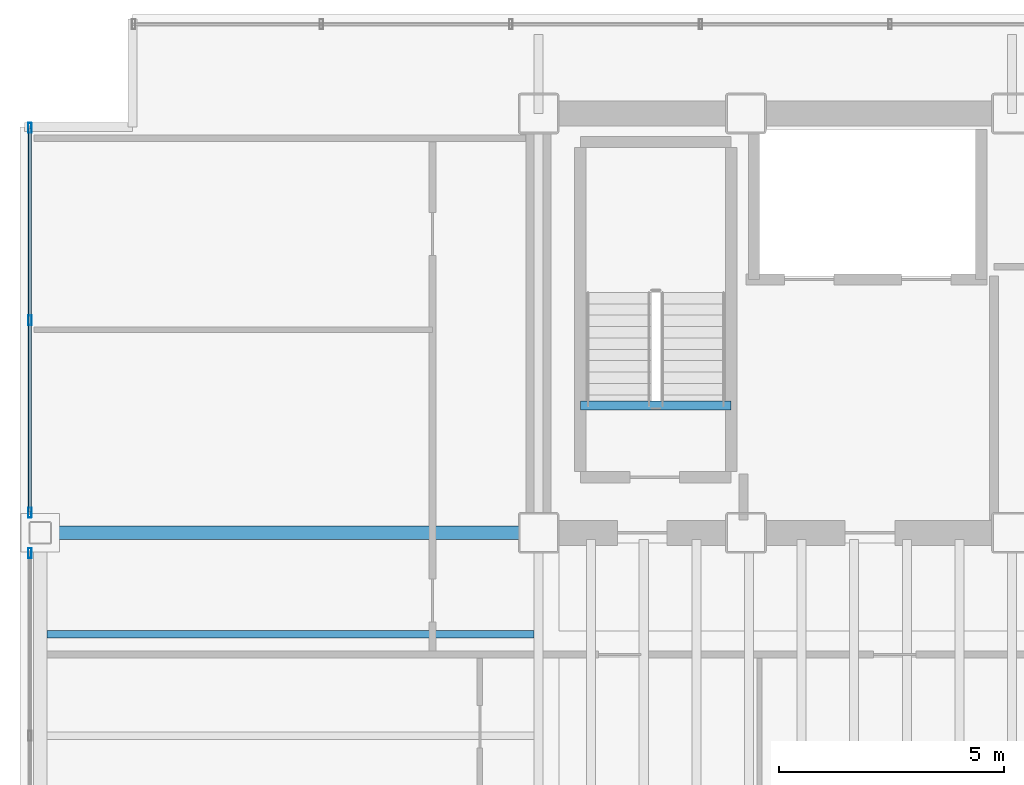
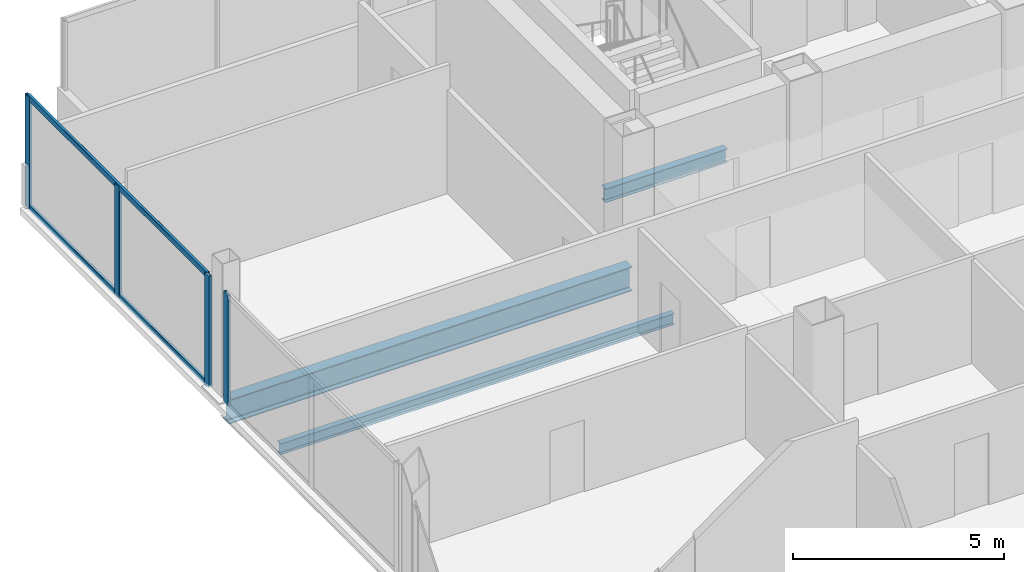
# One storey, part 8 of 22: 6 members, 3 beams, 2 elements without a shape of their own.
"""IFC4 building model written with IfcOpenShell, lengths in metres."""

from ifc_helpers import new_model, si_unit, direction, frame, origin, origin_2d, place, context, subcontext, project, spatial, hollow_rectangle, i_section, extrude, material, material_profile, profile_set, type_object, element, aggregate, save


model = new_model("IFC4")

# Units and contexts
model_context = context("Model", 3, precision=1e-05, world=origin(), true_north=direction((0.0, 1.0)))
body_context = subcontext(model_context, "Body", "Model", "MODEL_VIEW")
ifc_project = project(units=[si_unit("LENGTHUNIT", "METRE"), si_unit("AREAUNIT", "SQUARE_METRE"), si_unit("VOLUMEUNIT", "CUBIC_METRE"), si_unit("PLANEANGLEUNIT", "RADIAN"), si_unit("MASSUNIT", "GRAM", prefix="KILO")], contexts=[model_context])

# Site, building, storey
site_placement = place(None, origin())
site = spatial("IfcSite", under=ifc_project, at=site_placement, CompositionType="ELEMENT")
building_placement = place(site_placement, origin())
building = spatial("IfcBuilding", under=site, at=building_placement, Name="Noeulbin Bourse Tower", CompositionType="ELEMENT")
storey_placement = place(building_placement, frame((0.0, 0.0, 134.39990234375)))
storey = spatial("IfcBuildingStorey", under=building, at=storey_placement, Name="L33", CompositionType="ELEMENT", Elevation=134.39990234375)

# Beams
ifc_material_1 = material(Name="Steel S355", Category="steel")
ifc_material_profile_1 = material_profile(ifc_material_1, i_section(OverallWidth=0.300048828125, OverallDepth=0.699951171875, WebThickness=0.012939453125, FlangeThickness=0.02392578125, FilletRadius=0.02392578125, at=origin_2d()), Name="H-700x300x13x24", Category="LoadBearing")
ifc_profile_set_1 = profile_set([ifc_material_profile_1], Name="Steel S355")
beam_type_1 = type_object("IfcBeamType", Name="BM-GRD-700", PredefinedType="USERDEFINED", material=ifc_profile_set_1)
beam_1_placement = place(storey_placement, frame((2.449951171875, 29.0, -0.52978515625), z_axis=(1.0, 0.0, 0.0), x_axis=(0.0, 1.0, 0.0)))
element("IfcBeam", 1, at=beam_1_placement, inside=storey, type_object=beam_type_1, Name="Tower Primary Girder EW L33-2.1", ObjectType="GIRDER", PredefinedType="USERDEFINED", context=body_context, shape_type="SweptSolid", body=[
    extrude(i_section(OverallWidth=0.300048828125, OverallDepth=0.699951171875, WebThickness=0.012939453125, FlangeThickness=0.02392578125, FilletRadius=0.02392578125, at=origin_2d()), origin(), (0.0, 0.0, 1.0), 11.050048828125),
])
ifc_material_profile_2 = material_profile(ifc_material_1, i_section(OverallWidth=0.159912109375, OverallDepth=0.320068359375, WebThickness=0.006591796875, FlangeThickness=0.010009765625, FilletRadius=0.012939453125, at=origin_2d()), Name="H-320x160x6.5x10", Category="LoadBearing")
ifc_profile_set_2 = profile_set([ifc_material_profile_2], Name="Steel S355")
beam_type_2 = type_object("IfcBeamType", Name="BM-JST-320", PredefinedType="JOIST", material=ifc_profile_set_2)
beam_2_placement = place(storey_placement, frame((2.60009765625, 26.75, -0.33984375), z_axis=(1.0, 0.0, 0.0), x_axis=(0.0, 1.0, 0.0)))
element("IfcBeam", 2, at=beam_2_placement, inside=storey, type_object=beam_type_2, Name="Wing Composite Joist L33-W49", PredefinedType="JOIST", context=body_context, shape_type="SweptSolid", body=[
    extrude(i_section(OverallWidth=0.159912109375, OverallDepth=0.320068359375, WebThickness=0.006591796875, FlangeThickness=0.010009765625, FilletRadius=0.012939453125, at=origin_2d()), origin(), (0.0, 0.0, 1.0), 10.7998046875),
])
ifc_material_profile_3 = material_profile(ifc_material_1, i_section(OverallWidth=0.199951171875, OverallDepth=0.39990234375, WebThickness=0.008056640625, FlangeThickness=0.012939453125, FilletRadius=0.01611328125, at=origin_2d()), Name="H-400x200x8x13", Category="LoadBearing")
ifc_profile_set_3 = profile_set([ifc_material_profile_3], Name="Steel S355")
beam_type_3 = type_object("IfcBeamType", Name="BM-SEC-400", PredefinedType="BEAM", material=ifc_profile_set_3)
beam_3_placement = place(storey_placement, frame((14.429931640625, 31.820068359375, -0.199951171875), z_axis=(1.0, 0.0, 0.0), x_axis=(0.0, 1.0, 0.0)))
element("IfcBeam", 3, at=beam_3_placement, inside=storey, type_object=beam_type_3, Name="Stair Threshold Trimmer Beam ST1-L33", PredefinedType="BEAM", context=body_context, shape_type="SweptSolid", body=[
    extrude(i_section(OverallWidth=0.199951171875, OverallDepth=0.39990234375, WebThickness=0.008056640625, FlangeThickness=0.012939453125, FilletRadius=0.01611328125, at=origin_2d()), origin(), (0.0, 0.0, 1.0), 3.340087890625),
])

# Curtain wall, member
ifc_material_2 = material(Name="Dark Tinted Triple Glazing", Category="glass")
curtain_wall_type = type_object("IfcCurtainWallType", Name="CW-SYS-3", PredefinedType="NOTDEFINED", material=ifc_material_2)
curtain_wall_1_placement = place(storey_placement, origin())
curtain_wall_1 = element("IfcCurtainWall", 4, at=curtain_wall_1_placement, inside=storey, type_object=curtain_wall_type, Name="Unitised Curtain Wall CW-L33-W-S2", PredefinedType="NOTDEFINED")
ifc_material_3 = material(Name="Anodised Aluminium 6063-T6", Category="aluminium")
ifc_material_profile_4 = material_profile(ifc_material_3, hollow_rectangle(XDim=0.074951171875, YDim=0.219970703125, WallThickness=0.0048828125, InnerFilletRadius=0.00244140625, OuterFilletRadius=0.0048828125, at=origin_2d()), Name="ALU-MULL-75x220x5", Category="LoadBearing")
ifc_profile_set_4 = profile_set([ifc_material_profile_4], Name="Anodised Aluminium 6063-T6")
member_type_1 = type_object("IfcMemberType", Name="CW-SYS-3-MUL", PredefinedType="MULLION", material=ifc_profile_set_4)
member_1_placement = place(storey_placement, frame((2.219970703125, 28.550048828125, -0.02001953125), z_axis=(0.0, 0.0, 1.0), x_axis=(1.0, 0.0, 0.0)))
member_1 = element("IfcMember", 5, at=member_1_placement, type_object=member_type_1, Name="Curtain Wall Mullion CW-L33-W-S2-M02", PredefinedType="MULLION", context=body_context, shape_type="SweptSolid", body=[
    extrude(hollow_rectangle(XDim=0.074951171875, YDim=0.219970703125, WallThickness=0.0048828125, InnerFilletRadius=0.00244140625, OuterFilletRadius=0.0048828125, at=origin_2d()), origin(), (0.0, 0.0, 1.0), 3.22021484375),
])
aggregate(curtain_wall_1, [member_1])

# Curtain wall, members
curtain_wall_2_placement = place(storey_placement, origin())
curtain_wall_2 = element("IfcCurtainWall", 6, at=curtain_wall_2_placement, inside=storey, type_object=curtain_wall_type, Name="Unitised Curtain Wall CW-L33-W-S3", PredefinedType="NOTDEFINED")
member_2_placement = place(storey_placement, frame((2.219970703125, 29.449951171875, -0.02001953125), z_axis=(0.0, 0.0, 1.0), x_axis=(1.0, 0.0, 0.0)))
member_2 = element("IfcMember", 7, at=member_2_placement, type_object=member_type_1, Name="Curtain Wall Mullion CW-L33-W-S3-M00", PredefinedType="MULLION", context=body_context, shape_type="SweptSolid", body=[
    extrude(hollow_rectangle(XDim=0.074951171875, YDim=0.219970703125, WallThickness=0.0048828125, InnerFilletRadius=0.00244140625, OuterFilletRadius=0.0048828125, at=origin_2d()), origin(), (0.0, 0.0, 1.0), 3.22021484375),
])
member_3_placement = place(storey_placement, frame((2.219970703125, 33.715087890625, -0.02001953125), z_axis=(0.0, 0.0, 1.0), x_axis=(1.0, 0.0, 0.0)))
member_3 = element("IfcMember", 8, at=member_3_placement, type_object=member_type_1, Name="Curtain Wall Mullion CW-L33-W-S3-M01", PredefinedType="MULLION", context=body_context, shape_type="SweptSolid", body=[
    extrude(hollow_rectangle(XDim=0.074951171875, YDim=0.219970703125, WallThickness=0.0048828125, InnerFilletRadius=0.00244140625, OuterFilletRadius=0.0048828125, at=origin_2d()), origin(), (0.0, 0.0, 1.0), 3.22021484375),
])
member_4_placement = place(storey_placement, frame((2.219970703125, 37.97998046875, -0.02001953125), z_axis=(0.0, 0.0, 1.0), x_axis=(1.0, 0.0, 0.0)))
member_4 = element("IfcMember", 9, at=member_4_placement, type_object=member_type_1, Name="Curtain Wall Mullion CW-L33-W-S3-M02", PredefinedType="MULLION", context=body_context, shape_type="SweptSolid", body=[
    extrude(hollow_rectangle(XDim=0.074951171875, YDim=0.219970703125, WallThickness=0.0048828125, InnerFilletRadius=0.00244140625, OuterFilletRadius=0.0048828125, at=origin_2d()), origin(), (0.0, 0.0, 1.0), 3.22021484375),
])
ifc_material_profile_5 = material_profile(ifc_material_3, hollow_rectangle(XDim=0.074951171875, YDim=0.159912109375, WallThickness=0.0048828125, InnerFilletRadius=0.00244140625, OuterFilletRadius=0.0048828125, at=origin_2d()), Name="ALU-TRAN-75x160x5", Category="LoadBearing")
ifc_profile_set_5 = profile_set([ifc_material_profile_5], Name="Anodised Aluminium 6063-T6")
member_type_2 = type_object("IfcMemberType", Name="CW-SYS-3-TRN", PredefinedType="USERDEFINED", material=ifc_profile_set_5)
member_5_placement = place(storey_placement, frame((2.219970703125, 29.4599609375, 0.010009765625), z_axis=(0.0, 1.0, 0.0), x_axis=(-1.0, 0.0, 0.0)))
member_5 = element("IfcMember", 10, at=member_5_placement, type_object=member_type_2, Name="Curtain Wall Transom CW-L33-W-S3-T00", ObjectType="TRANSOM", PredefinedType="USERDEFINED", context=body_context, shape_type="SweptSolid", body=[
    extrude(hollow_rectangle(XDim=0.074951171875, YDim=0.159912109375, WallThickness=0.0048828125, InnerFilletRadius=0.00244140625, OuterFilletRadius=0.0048828125, at=origin_2d()), origin(), (0.0, 0.0, 1.0), 8.510009765625),
])
member_6_placement = place(storey_placement, frame((2.219970703125, 29.4599609375, 3.170166015625), z_axis=(0.0, 1.0, 0.0), x_axis=(-1.0, 0.0, 0.0)))
member_6 = element("IfcMember", 11, at=member_6_placement, type_object=member_type_2, Name="Curtain Wall Transom CW-L33-W-S3-T01", ObjectType="TRANSOM", PredefinedType="USERDEFINED", context=body_context, shape_type="SweptSolid", body=[
    extrude(hollow_rectangle(XDim=0.074951171875, YDim=0.159912109375, WallThickness=0.0048828125, InnerFilletRadius=0.00244140625, OuterFilletRadius=0.0048828125, at=origin_2d()), origin(), (0.0, 0.0, 1.0), 8.510009765625),
])
aggregate(curtain_wall_2, [member_2, member_3, member_4, member_5, member_6])

save(model, "model.ifc")
